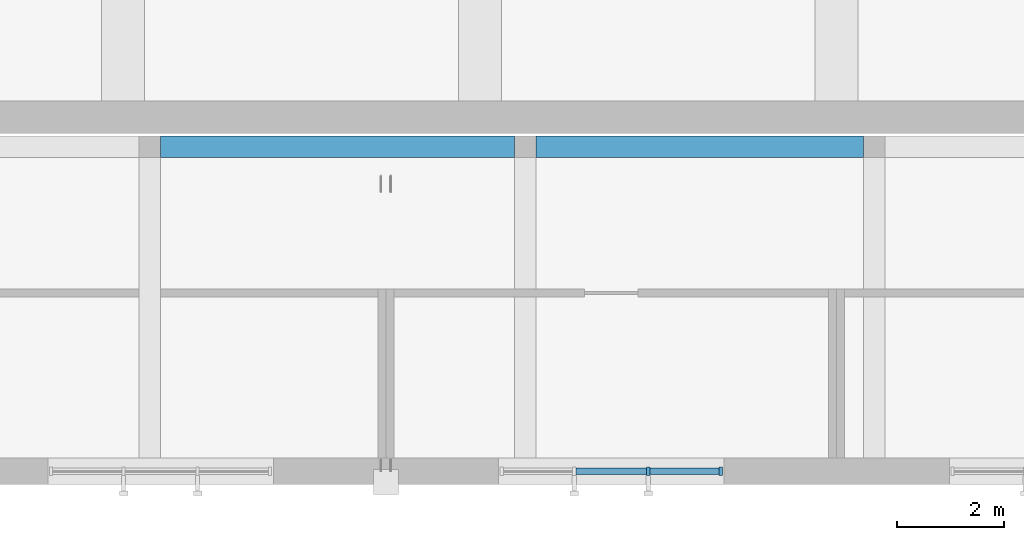
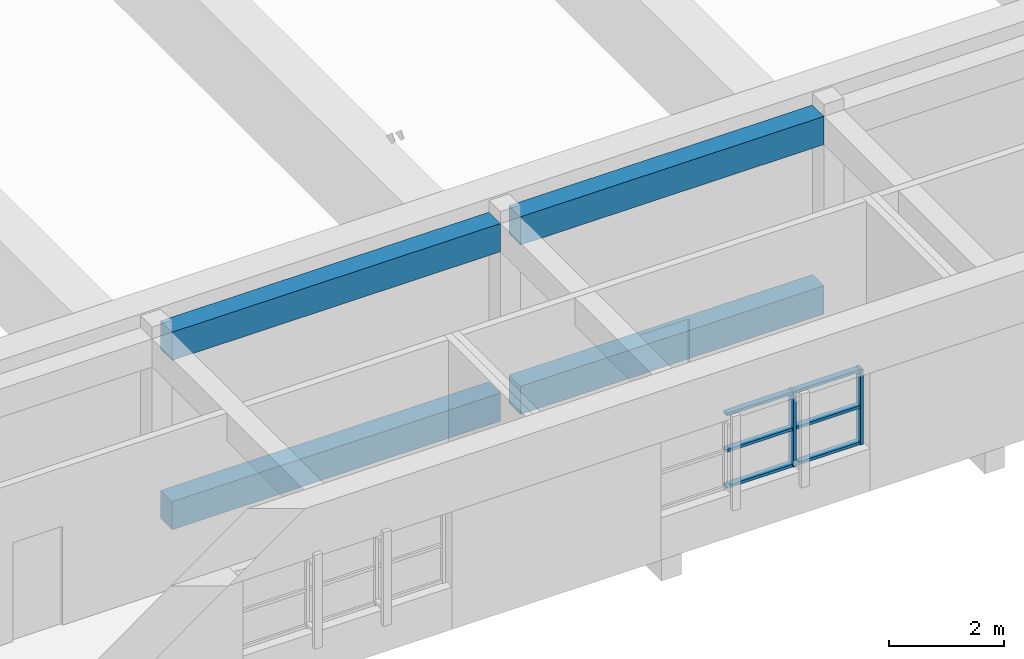
# One storey, part 3 of 28: 8 members, 4 beams, 1 element without a shape of its own.
"""IFC4 building model written with IfcOpenShell, lengths in metres."""

import ifcopenshell
import ifcopenshell.guid

model = None  # the IFC model being written
_history = None  # IfcOwnerHistory: only IFC2X3 demands one
_inside = {}  # id of a spatial element -> (the spatial element, [elements in it])
_under = {}  # id of a project, library or spatial element -> (it, [spatial elements below it])
_declared = {}  # id of a project -> (the project, [libraries it declares])
_typed = {}  # id of a type object -> (the type object, [elements of that type])
_made_of = {}  # id of a material, layer set ... -> (it, [elements and type objects made of it])


def new_model(schema):
    """Start an empty IFC model of exactly this schema.

    Asked for "IFC4X3", IfcOpenShell would pick the latest addendum, in which some entities
    have other attributes; the version numbers below select the first issue.
    IFC2X3 requires an IfcOwnerHistory on every rooted entity: one is made here for all.
    """
    global model, _history
    if schema == "IFC4X3":
        model = ifcopenshell.file(schema_version=(4, 3, 0, 0))
    else:
        model = ifcopenshell.file(schema=schema)
    _inside.clear()
    _under.clear()
    _declared.clear()
    _typed.clear()
    _made_of.clear()
    _history = None
    if model.schema == "IFC2X3":
        org = make("IfcOrganization", Name="unknown")
        user = make(
            "IfcPersonAndOrganization",
            ThePerson=make("IfcPerson", FamilyName="unknown"),
            TheOrganization=org,
        )
        app = make(
            "IfcApplication",
            ApplicationDeveloper=org,
            Version="unknown",
            ApplicationFullName="unknown",
            ApplicationIdentifier="unknown",
        )
        _history = make(
            "IfcOwnerHistory",
            OwningUser=user,
            OwningApplication=app,
            ChangeAction="ADDED",
            CreationDate=0,
        )
    return model


def make(cls, **values):
    """One entity of the class cls with the attributes given. An attribute that is None is left unset."""
    return model.create_entity(
        cls, **{name: value for name, value in values.items() if value is not None}
    )


def rooted(cls, **values):
    """An entity with a GlobalId (a new one), such as an element, a storey or a relation."""
    return make(cls, GlobalId=ifcopenshell.guid.new(), OwnerHistory=_history, **values)


def si_unit(unit_type, name, prefix=None):
    """IfcSIUnit, for example si_unit("LENGTHUNIT", "METRE", prefix="MILLI")."""
    return make("IfcSIUnit", UnitType=unit_type, Prefix=prefix, Name=name)


def assignment(units):
    """IfcUnitAssignment: the units of a project."""
    return None if units is None else make("IfcUnitAssignment", Units=units)


def point(xyz):
    """IfcCartesianPoint."""
    return None if xyz is None else make("IfcCartesianPoint", Coordinates=xyz)


def direction(xyz):
    """IfcDirection."""
    return None if xyz is None else make("IfcDirection", DirectionRatios=xyz)


def frame(location, z_axis=None, x_axis=None):
    """IfcAxis2Placement3D, a coordinate frame: its origin and axes. An axis left out is left unset."""
    return make(
        "IfcAxis2Placement3D",
        Location=point(location),
        Axis=direction(z_axis),
        RefDirection=direction(x_axis),
    )


def frame_2d(location, x_axis=None):
    """IfcAxis2Placement2D, a coordinate frame in the plane: its origin and x axis."""
    return make(
        "IfcAxis2Placement2D", Location=point(location), RefDirection=direction(x_axis)
    )


def origin():
    """The frame at (0, 0, 0) with its axes left unset."""
    return frame((0.0, 0.0, 0.0))


def origin_2d():
    """The frame at (0, 0) in the plane with its x axis left unset."""
    return frame_2d((0.0, 0.0))


def place(relative_to, where):
    """IfcLocalPlacement: puts the frame where relative to a parent placement (None: the world)."""
    return make(
        "IfcLocalPlacement", PlacementRelTo=relative_to, RelativePlacement=where
    )


def context(
    kind, dimensions, precision=None, world=None, true_north=None, identifier=None
):
    """IfcGeometricRepresentationContext, for example the 3D "Model" context."""
    return make(
        "IfcGeometricRepresentationContext",
        ContextIdentifier=identifier,
        ContextType=kind,
        CoordinateSpaceDimension=dimensions,
        Precision=precision,
        WorldCoordinateSystem=world,
        TrueNorth=true_north,
    )


def subcontext(parent, identifier, kind, view, scale=None):
    """IfcGeometricRepresentationSubContext, for example "Body" below "Model"."""
    return make(
        "IfcGeometricRepresentationSubContext",
        ContextIdentifier=identifier,
        ContextType=kind,
        ParentContext=parent,
        TargetScale=scale,
        TargetView=view,
    )


def project(units=None, contexts=None):
    """IfcProject with its units and contexts."""
    return rooted(
        "IfcProject",
        Name="project",
        RepresentationContexts=contexts,
        UnitsInContext=assignment(units),
    )


def spatial(cls, under=None, at=None, **own):
    """A site, building, storey or space (cls), placed at a placement, below another one or the project."""
    s = rooted(cls, ObjectPlacement=at, **own)
    if under is not None:
        _under.setdefault(under.id(), (under, []))[1].append(s)
    return s


def profile(cls, at=None, kind="AREA", **sizes):
    """A parametric profile (cls). Its sizes go by their IFC names, for example OverallWidth=200.0."""
    return make(cls, ProfileType=kind, Position=at, **sizes)


def rectangle(**sizes):
    """IfcRectangleProfileDef."""
    return profile("IfcRectangleProfileDef", **sizes)


def extrude(swept, where, along, depth):
    """IfcExtrudedAreaSolid: the profile swept, set in the frame where, extruded along a direction by depth."""
    return make(
        "IfcExtrudedAreaSolid",
        SweptArea=swept,
        Position=where,
        ExtrudedDirection=direction(along),
        Depth=depth,
    )


def shape(context_of_items, identifier, shape_type, items):
    """IfcShapeRepresentation: the items that make up one representation, for example the "Body"."""
    return make(
        "IfcShapeRepresentation",
        ContextOfItems=context_of_items,
        RepresentationIdentifier=identifier,
        RepresentationType=shape_type,
        Items=items,
    )


def material(Name=None, Category=None):
    """IfcMaterial."""
    return make("IfcMaterial", Name=Name, Category=Category)


def material_profile(
    of_material, cross_section, Name=None, Category=None, Priority=None
):
    """IfcMaterialProfile: a cross section and its material."""
    return make(
        "IfcMaterialProfile",
        Name=Name,
        Material=of_material,
        Profile=cross_section,
        Priority=Priority,
        Category=Category,
    )


def profile_set(profiles, Name=None, composite=None):
    """IfcMaterialProfileSet."""
    return make(
        "IfcMaterialProfileSet",
        Name=Name,
        MaterialProfiles=profiles,
        CompositeProfile=composite,
    )


def made_of(thing, what):
    """Note that an element or type object is made of a material, layer set ...; save() writes the relation."""
    if what is not None:
        _made_of.setdefault(what.id(), (what, []))[1].append(thing)
    return thing


def type_object(cls, material=None, **own):
    """A type object (cls), such as IfcWallType, which elements share."""
    return made_of(rooted(cls, **own), material)


def element(
    cls,
    number,
    at=None,
    inside=None,
    cuts=None,
    type_object=None,
    material=None,
    context=None,
    identifier="Body",
    shape_type=None,
    held_by="IfcProductDefinitionShape",
    body=None,
    shapes=None,
    **own,
):
    """One element of the class cls, such as IfcWall. Its Tag is "e" and its number.

    at: its placement. inside: the storey or other place that contains it. cuts: it is an
    opening in that element (IfcRelVoidsElement). A single representation is given by context,
    identifier, shape_type and body (its items); several are given by shapes. held_by: the class
    of the entity that holds the representations. save() writes the other relations.
    """
    e = rooted(cls, Tag="e%d" % number, ObjectPlacement=at, **own)
    if body is not None:
        shapes = [shape(context, identifier, shape_type, body)]
    if shapes is not None:
        e.Representation = make(held_by, Representations=shapes)
    if inside is not None:
        _inside.setdefault(inside.id(), (inside, []))[1].append(e)
    if cuts is not None:
        rooted(
            "IfcRelVoidsElement", RelatingBuildingElement=cuts, RelatedOpeningElement=e
        )
    if type_object is not None:
        _typed.setdefault(type_object.id(), (type_object, []))[1].append(e)
    return made_of(e, material)


def aggregate(whole, parts):
    """IfcRelAggregates: a whole, such as a stair, and the parts it consists of."""
    return rooted("IfcRelAggregates", RelatingObject=whole, RelatedObjects=parts)


def save(model, path):
    """Write the relations noted so far, then the file.

    IfcRelAggregates (storeys below a building ...), IfcRelContainedInSpatialStructure (elements
    in a storey), IfcRelDefinesByType, IfcRelAssociatesMaterial and IfcRelDeclares: one each for
    every whole, place, type object, material and project.
    """
    for whole, parts in _under.values():
        aggregate(whole, parts)
    for where, things in _inside.values():
        rooted(
            "IfcRelContainedInSpatialStructure",
            RelatedElements=things,
            RelatingStructure=where,
        )
    for kind, things in _typed.values():
        rooted("IfcRelDefinesByType", RelatedObjects=things, RelatingType=kind)
    for what, things in _made_of.values():
        rooted("IfcRelAssociatesMaterial", RelatedObjects=things, RelatingMaterial=what)
    for by, libraries in _declared.values():
        rooted("IfcRelDeclares", RelatingContext=by, RelatedDefinitions=libraries)
    model.write(path)


model = new_model("IFC4")

# Units and contexts
model_context = context("Model", 3, precision=1e-05, world=origin(), true_north=direction((0.0, 1.0)))
body_context = subcontext(model_context, "Body", "Model", "MODEL_VIEW")
ifc_project = project(units=[si_unit("LENGTHUNIT", "METRE"), si_unit("AREAUNIT", "SQUARE_METRE"), si_unit("VOLUMEUNIT", "CUBIC_METRE"), si_unit("PLANEANGLEUNIT", "RADIAN"), si_unit("MASSUNIT", "GRAM", prefix="KILO")], contexts=[model_context])

# Site, building, storey
site_placement = place(None, origin())
site = spatial("IfcSite", under=ifc_project, at=site_placement, CompositionType="ELEMENT")
building_placement = place(site_placement, origin())
building = spatial("IfcBuilding", under=site, at=building_placement, Name="Ljudholm Concert House", CompositionType="ELEMENT")
storey_placement = place(building_placement, frame((0.0, 0.0, 19.199951171875)))
storey = spatial("IfcBuildingStorey", under=building, at=storey_placement, Name="L04", CompositionType="ELEMENT", Elevation=19.199951171875)

# Curtain wall, members
ifc_material_1 = material(Name="Aluminium curtain wall with impact-rated laminated glass", Category="aluminium")
curtain_wall_type = type_object("IfcCurtainWallType", Name="CURTAIN WALL 1400", PredefinedType="NOTDEFINED", material=ifc_material_1)
curtain_wall_placement = place(storey_placement, origin())
curtain_wall = element("IfcCurtainWall", 1, at=curtain_wall_placement, inside=storey, type_object=curtain_wall_type, Name="Promenade curtain wall", PredefinedType="NOTDEFINED")
ifc_material_2 = material(Name="Aluminium extrusion", Category="aluminium")
ifc_material_profile_1 = material_profile(ifc_material_2, rectangle(XDim=0.159912109375, YDim=0.06005859375, at=origin_2d()), Name="MULLION 60x160")
ifc_profile_set_1 = profile_set([ifc_material_profile_1], Name="Aluminium extrusion")
member_type_1 = type_object("IfcMemberType", Name="MULLION 60x160", PredefinedType="MULLION", material=ifc_profile_set_1)
member_1_placement = place(storey_placement, frame((59.2900390625, 54.39990234375, 0.900146484375), z_axis=(0.0, 0.0, 1.0), x_axis=(0.0, 1.0, 0.0)))
member_1 = element("IfcMember", 2, at=member_1_placement, type_object=member_type_1, Name="Mullion", PredefinedType="MULLION", context=body_context, shape_type="SweptSolid", body=[
    extrude(rectangle(XDim=0.159912109375, YDim=0.06005859375, at=origin_2d()), origin(), (0.0, 0.0, 1.0), 1.599853515625),
])
member_2_placement = place(storey_placement, frame((60.639892578125, 54.39990234375, 0.900146484375), z_axis=(0.0, 0.0, 1.0), x_axis=(0.0, 1.0, 0.0)))
member_2 = element("IfcMember", 3, at=member_2_placement, type_object=member_type_1, Name="Mullion", PredefinedType="MULLION", context=body_context, shape_type="SweptSolid", body=[
    extrude(rectangle(XDim=0.159912109375, YDim=0.06005859375, at=origin_2d()), origin(), (0.0, 0.0, 1.0), 1.599853515625),
])

# Beams
ifc_material_3 = material(Name="Concrete 6,500 psi", Category="concrete")
ifc_material_profile_2 = material_profile(ifc_material_3, rectangle(XDim=0.39990234375, YDim=0.60009765625, at=origin_2d()), Name="RC BEAM 400x600")
ifc_profile_set_2 = profile_set([ifc_material_profile_2], Name="Concrete 6,500 psi")
beam_type = type_object("IfcBeamType", Name="RC BEAM 400x600", PredefinedType="BEAM", material=ifc_profile_set_2)
beam_1_placement = place(storey_placement, frame((50.199951171875, 60.449951171875, -0.550048828125), z_axis=(1.0, 0.0, 0.0), x_axis=(0.0, 1.0, 0.0)))
element("IfcBeam", 4, at=beam_1_placement, inside=storey, type_object=beam_type, Name="Ring beam", PredefinedType="BEAM", context=body_context, shape_type="SweptSolid", body=[
    extrude(rectangle(XDim=0.39990234375, YDim=0.60009765625, at=origin_2d()), origin(), (0.0, 0.0, 1.0), 6.60009765625),
])
beam_2_placement = place(storey_placement, frame((57.199951171875, 60.449951171875, -0.550048828125), z_axis=(1.0, 0.0, 0.0), x_axis=(0.0, 1.0, 0.0)))
element("IfcBeam", 5, at=beam_2_placement, inside=storey, type_object=beam_type, Name="Ring beam", PredefinedType="BEAM", context=body_context, shape_type="SweptSolid", body=[
    extrude(rectangle(XDim=0.39990234375, YDim=0.60009765625, at=origin_2d()), origin(), (0.0, 0.0, 1.0), 6.10009765625),
])
beam_3_placement = place(storey_placement, frame((50.199951171875, 60.449951171875, 3.050048828125), z_axis=(1.0, 0.0, 0.0), x_axis=(0.0, 1.0, 0.0)))
element("IfcBeam", 6, at=beam_3_placement, inside=storey, type_object=beam_type, Name="Ring beam", PredefinedType="BEAM", context=body_context, shape_type="SweptSolid", body=[
    extrude(rectangle(XDim=0.39990234375, YDim=0.60009765625, at=origin_2d()), origin(), (0.0, 0.0, 1.0), 6.60009765625),
])
beam_4_placement = place(storey_placement, frame((57.199951171875, 60.449951171875, 3.050048828125), z_axis=(1.0, 0.0, 0.0), x_axis=(0.0, 1.0, 0.0)))
element("IfcBeam", 7, at=beam_4_placement, inside=storey, type_object=beam_type, Name="Ring beam", PredefinedType="BEAM", context=body_context, shape_type="SweptSolid", body=[
    extrude(rectangle(XDim=0.39990234375, YDim=0.60009765625, at=origin_2d()), origin(), (0.0, 0.0, 1.0), 6.10009765625),
])

# Member
ifc_material_4 = material(Name="Aluminium extrusion", Category="aluminium")
ifc_material_profile_3 = material_profile(ifc_material_4, rectangle(XDim=0.1201171875, YDim=0.06005859375, at=origin_2d()), Name="TRANSOM 60x120")
ifc_profile_set_3 = profile_set([ifc_material_profile_3], Name="Aluminium extrusion")
member_type_2 = type_object("IfcMemberType", Name="TRANSOM 60x120", PredefinedType="USERDEFINED", material=ifc_profile_set_3)
member_3_placement = place(storey_placement, frame((57.93994140625, 54.39990234375, 0.929931640625), z_axis=(1.0, 0.0, 0.0), x_axis=(0.0, 1.0, 0.0)))
member_3 = element("IfcMember", 8, at=member_3_placement, type_object=member_type_2, Name="Transom", ObjectType="TRANSOM", PredefinedType="USERDEFINED", context=body_context, shape_type="SweptSolid", body=[
    extrude(rectangle(XDim=0.1201171875, YDim=0.06005859375, at=origin_2d()), origin(), (0.0, 0.0, 1.0), 1.320068359375),
])

member_4_placement = place(storey_placement, frame((57.93994140625, 54.39990234375, 1.699951171875), z_axis=(1.0, 0.0, 0.0), x_axis=(0.0, 1.0, 0.0)))
member_4 = element("IfcMember", 9, at=member_4_placement, type_object=member_type_2, Name="Transom", ObjectType="TRANSOM", PredefinedType="USERDEFINED", context=body_context, shape_type="SweptSolid", body=[
    extrude(rectangle(XDim=0.1201171875, YDim=0.06005859375, at=origin_2d()), origin(), (0.0, 0.0, 1.0), 1.320068359375),
])

member_5_placement = place(storey_placement, frame((57.93994140625, 54.39990234375, 2.469970703125), z_axis=(1.0, 0.0, 0.0), x_axis=(0.0, 1.0, 0.0)))
member_5 = element("IfcMember", 10, at=member_5_placement, type_object=member_type_2, Name="Transom", ObjectType="TRANSOM", PredefinedType="USERDEFINED", context=body_context, shape_type="SweptSolid", body=[
    extrude(rectangle(XDim=0.1201171875, YDim=0.06005859375, at=origin_2d()), origin(), (0.0, 0.0, 1.0), 1.320068359375),
])

member_6_placement = place(storey_placement, frame((59.320068359375, 54.39990234375, 0.929931640625), z_axis=(1.0, 0.0, 0.0), x_axis=(0.0, 1.0, 0.0)))
member_6 = element("IfcMember", 11, at=member_6_placement, type_object=member_type_2, Name="Transom", ObjectType="TRANSOM", PredefinedType="USERDEFINED", context=body_context, shape_type="SweptSolid", body=[
    extrude(rectangle(XDim=0.1201171875, YDim=0.06005859375, at=origin_2d()), origin(), (0.0, 0.0, 1.0), 1.2900390625),
])

member_7_placement = place(storey_placement, frame((59.320068359375, 54.39990234375, 1.699951171875), z_axis=(1.0, 0.0, 0.0), x_axis=(0.0, 1.0, 0.0)))
member_7 = element("IfcMember", 12, at=member_7_placement, type_object=member_type_2, Name="Transom", ObjectType="TRANSOM", PredefinedType="USERDEFINED", context=body_context, shape_type="SweptSolid", body=[
    extrude(rectangle(XDim=0.1201171875, YDim=0.06005859375, at=origin_2d()), origin(), (0.0, 0.0, 1.0), 1.2900390625),
])

member_8_placement = place(storey_placement, frame((59.320068359375, 54.39990234375, 2.469970703125), z_axis=(1.0, 0.0, 0.0), x_axis=(0.0, 1.0, 0.0)))
member_8 = element("IfcMember", 13, at=member_8_placement, type_object=member_type_2, Name="Transom", ObjectType="TRANSOM", PredefinedType="USERDEFINED", context=body_context, shape_type="SweptSolid", body=[
    extrude(rectangle(XDim=0.1201171875, YDim=0.06005859375, at=origin_2d()), origin(), (0.0, 0.0, 1.0), 1.2900390625),
])

aggregate(curtain_wall, [member_1, member_2, member_3, member_4, member_5, member_6, member_7, member_8])

save(model, "model.ifc")
